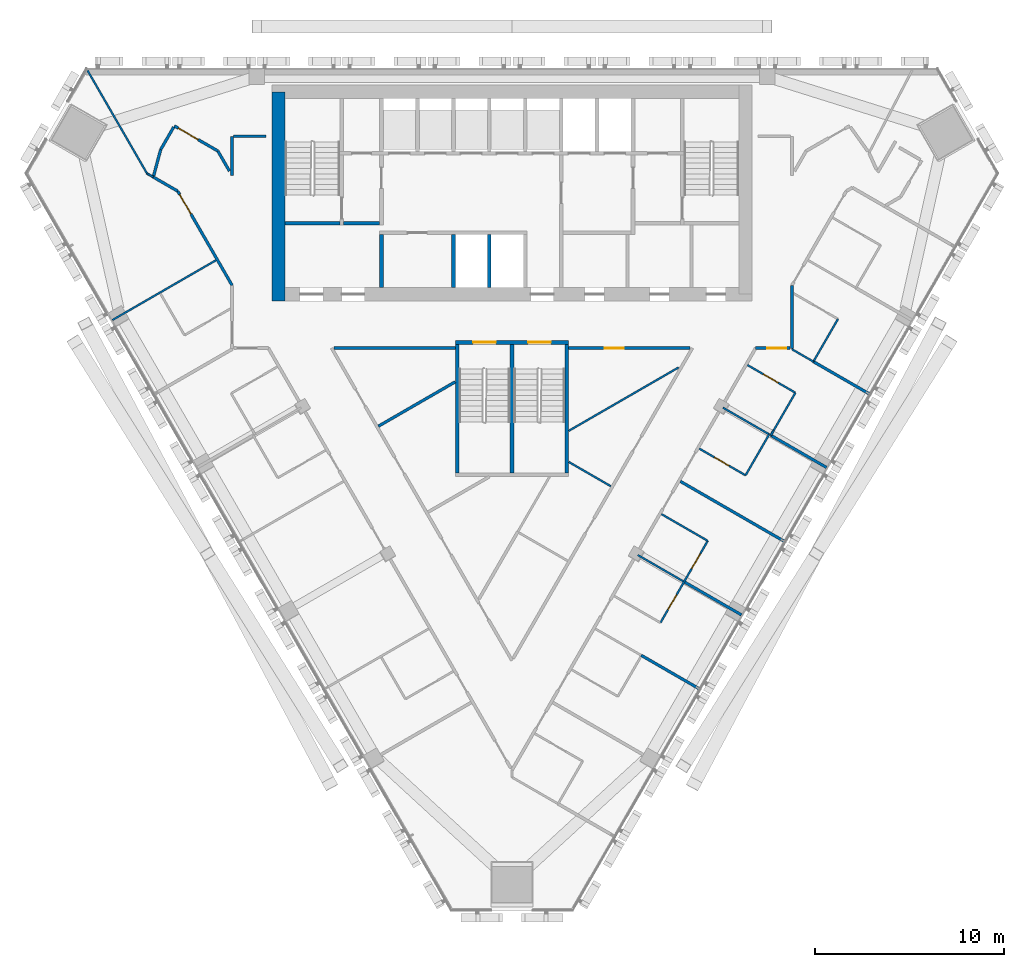
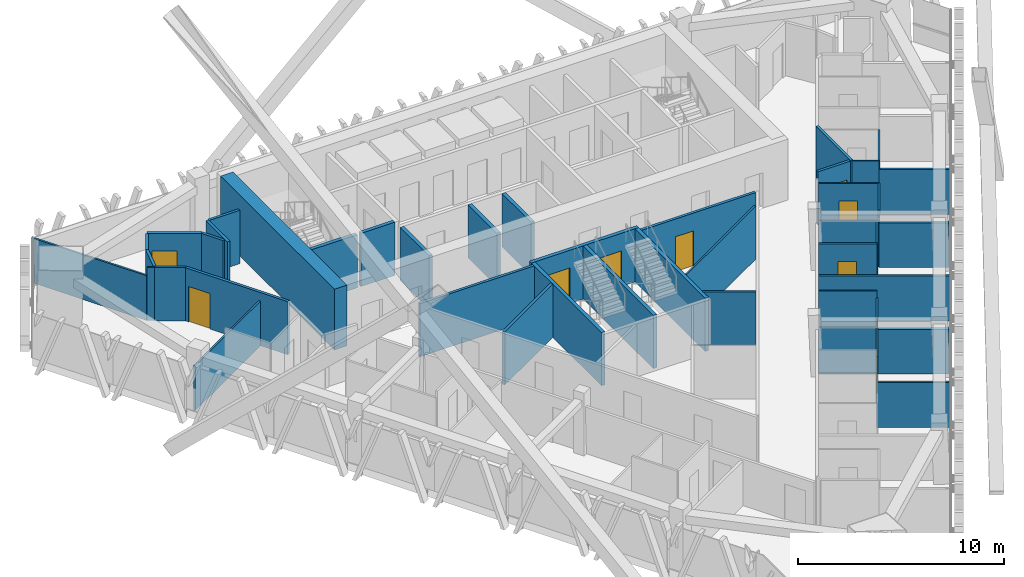
# One storey, part 11 of 17: 44 walls, 10 doors, 10 openings.
"""IFC4 building model written with IfcOpenShell, lengths in metres."""

from ifc_helpers import new_model, si_unit, direction, frame, frame_2d, origin, place, context, subcontext, project, spatial, rectangle, extrude, material, layer, layer_set, type_object, element, fill, save


model = new_model("IFC4")

# Units and contexts
model_context = context("Model", 3, precision=1e-05, world=origin(), true_north=direction((0.0, 1.0)))
body_context = subcontext(model_context, "Body", "Model", "MODEL_VIEW")
ifc_project = project(units=[si_unit("LENGTHUNIT", "METRE"), si_unit("AREAUNIT", "SQUARE_METRE"), si_unit("VOLUMEUNIT", "CUBIC_METRE"), si_unit("PLANEANGLEUNIT", "RADIAN"), si_unit("MASSUNIT", "GRAM", prefix="KILO")], contexts=[model_context])

# Site, building, storey
site_placement = place(None, origin())
site = spatial("IfcSite", under=ifc_project, at=site_placement, CompositionType="ELEMENT")
building_placement = place(site_placement, origin())
building = spatial("IfcBuilding", under=site, at=building_placement, Name="Altiplano Prism Tower", CompositionType="ELEMENT")
storey_placement = place(building_placement, frame((0.0, 0.0, 194.39990234375)))
storey = spatial("IfcBuildingStorey", under=building, at=storey_placement, Name="L50", CompositionType="ELEMENT", Elevation=194.39990234375)

# Walls
ifc_material_1 = material(Name="Concrete C60/75", Category="concrete")
ifc_layer_1 = layer(ifc_material_1, 0.699951171875)
ifc_layer_set_1 = layer_set([ifc_layer_1], Name="Concrete C60/75")
wall_type_1 = type_object("IfcWallType", Name="Core wall 700", PredefinedType="SHEAR", material=ifc_layer_set_1)
wall_1_placement = place(storey_placement, frame((72.64990234375, 103.75, 0.0), z_axis=(0.0, 0.0, 1.0), x_axis=(0.0, -1.0, 0.0)))
element("IfcWall", 1, at=wall_1_placement, inside=storey, type_object=wall_type_1, Name="Core wall W L50", PredefinedType="SHEAR", context=body_context, shape_type="SweptSolid", body=[
    extrude(rectangle(XDim=11.050048828125, YDim=0.699951171875, at=frame_2d((5.52490234375, 0.0))), origin(), (0.0, 0.0, 1.0), 3.60009765625),
])
ifc_material_2 = material(Name="Plasterboard on steel stud", Category="steel")
ifc_layer_2 = layer(ifc_material_2, 0.10009765625)
ifc_layer_set_2 = layer_set([ifc_layer_2], Name="Plasterboard on steel stud")
wall_type_2 = type_object("IfcWallType", Name="Partition 100 unit", PredefinedType="PARTITIONING", material=ifc_layer_set_2)
wall_2_placement = place(storey_placement, frame((92.90283203125, 81.4228515625, 0.0), z_axis=(0.0, 0.0, 1.0), x_axis=(0.866011447264, -0.500024172624, 0.0)))
element("IfcWall", 2, at=wall_2_placement, inside=storey, type_object=wall_type_2, Name="Partition P02 L50 068", PredefinedType="PARTITIONING", context=body_context, shape_type="SweptSolid", body=[
    extrude(rectangle(XDim=2.824951171875, YDim=0.10009765625, at=frame_2d((1.41259765625, 0.0))), origin(), (0.0, 0.0, 1.0), 3.150146484375),
])

# Wall, openings, doors
wall_3_placement = place(storey_placement, frame((95.349365234375, 80.01025390625, 0.0), z_axis=(0.0, 0.0, 1.0), x_axis=(-0.500004234368, -0.866022959057, 0.0)))
wall_3 = element("IfcWall", 3, at=wall_3_placement, inside=storey, type_object=wall_type_2, Name="Partition P02 L50 069", PredefinedType="PARTITIONING", context=body_context, shape_type="SweptSolid", body=[
    extrude(rectangle(XDim=5.0, YDim=0.10009765625, at=frame_2d((2.5, 0.0))), origin(), (0.0, 0.0, 1.0), 2.75),
])
opening_1_placement = place(wall_3_placement, frame((3.300048828125, 0.0, 0.0)))
opening_1 = element("IfcOpeningElement", 4, at=opening_1_placement, cuts=wall_3, Name="Opening D1757", PredefinedType="OPENING", context=body_context, shape_type="SweptSolid", body=[
    extrude(rectangle(XDim=0.89990234375, YDim=2.10009765625, at=frame_2d((0.449951171875, 1.050048828125))), frame((0.0, 0.060546875, 0.0), z_axis=(0.0, -1.0, 0.0), x_axis=(1.0, 0.0, 0.0)), (0.0, 0.0, 1.0), 0.12109375),
])
opening_2_placement = place(wall_3_placement, frame((0.800048828125, 0.0, 0.0)))
opening_2 = element("IfcOpeningElement", 5, at=opening_2_placement, cuts=wall_3, Name="Opening D1759", PredefinedType="OPENING", context=body_context, shape_type="SweptSolid", body=[
    extrude(rectangle(XDim=0.89990234375, YDim=2.10009765625, at=frame_2d((0.449951171875, 1.050048828125))), frame((0.0, 0.060546875, 0.0), z_axis=(0.0, -1.0, 0.0), x_axis=(1.0, 0.0, 0.0)), (0.0, 0.0, 1.0), 0.12109375),
])
ifc_material_3 = material(Name="Timber", Category="wood")
door_type_1 = type_object("IfcDoorType", Name="Ensuite door 900 x 2100", OperationType="NOTDEFINED", PredefinedType="NOTDEFINED", material=ifc_material_3)
door_1_placement = place(opening_1_placement, origin())
door_1 = element("IfcDoor", 6, at=door_1_placement, inside=storey, type_object=door_type_1, Name="Door D1757", OperationType="SINGLE_SWING_RIGHT", OverallHeight=2.10009765625, OverallWidth=0.89990234375, PredefinedType="NOTDEFINED", context=body_context, shape_type="SweptSolid", body=[
    extrude(rectangle(XDim=0.89990234375, YDim=2.10009765625, at=frame_2d((0.449951171875, 1.050048828125))), frame((0.0, 0.02490234375, 0.0), z_axis=(0.0, -1.0, 0.0), x_axis=(1.0, 0.0, 0.0)), (0.0, 0.0, 1.0), 0.050048828125),
])
fill(opening_1, door_1)
door_2_placement = place(opening_2_placement, origin())
door_2 = element("IfcDoor", 7, at=door_2_placement, inside=storey, type_object=door_type_1, Name="Door D1759", OperationType="SINGLE_SWING_RIGHT", OverallHeight=2.10009765625, OverallWidth=0.89990234375, PredefinedType="NOTDEFINED", context=body_context, shape_type="SweptSolid", body=[
    extrude(rectangle(XDim=0.89990234375, YDim=2.10009765625, at=frame_2d((0.449951171875, 1.050048828125))), frame((0.0, 0.02490234375, 0.0), z_axis=(0.0, -1.0, 0.0), x_axis=(1.0, 0.0, 0.0)), (0.0, 0.0, 1.0), 0.050048828125),
])
fill(opening_2, door_2)

# Wall
wall_4_placement = place(storey_placement, frame((98.599365234375, 85.639404296875, 0.0), z_axis=(0.0, 0.0, 1.0), x_axis=(-0.500004234368, -0.866022959057, 0.0)))
element("IfcWall", 8, at=wall_4_placement, inside=storey, type_object=wall_type_2, Name="Partition P02 L50 071", PredefinedType="PARTITIONING", context=body_context, shape_type="SweptSolid", body=[
    extrude(rectangle(XDim=2.5, YDim=0.10009765625, at=frame_2d((1.25, 0.0))), origin(), (0.0, 0.0, 1.0), 2.75),
])

# Wall, opening, door
wall_5_placement = place(storey_placement, frame((97.349365234375, 83.474365234375, 0.0), z_axis=(0.0, 0.0, 1.0), x_axis=(-0.866011447264, 0.500024172624, 0.0)))
wall_5 = element("IfcWall", 9, at=wall_5_placement, inside=storey, type_object=wall_type_2, Name="Partition P02 L50 072", PredefinedType="PARTITIONING", context=body_context, shape_type="SweptSolid", body=[
    extrude(rectangle(XDim=2.824951171875, YDim=0.10009765625, at=frame_2d((1.41259765625, 0.0))), origin(), (0.0, 0.0, 1.0), 3.150146484375),
])
opening_3_placement = place(wall_5_placement, frame((1.0, 0.0, 0.0)))
opening_3 = element("IfcOpeningElement", 10, at=opening_3_placement, cuts=wall_5, Name="Opening D1761", PredefinedType="OPENING", context=body_context, shape_type="SweptSolid", body=[
    extrude(rectangle(XDim=0.89990234375, YDim=2.10009765625, at=frame_2d((0.449951171875, 1.050048828125))), frame((0.0, 0.060546875, 0.0), z_axis=(0.0, -1.0, 0.0), x_axis=(1.0, 0.0, 0.0)), (0.0, 0.0, 1.0), 0.12109375),
])
door_3_placement = place(opening_3_placement, origin())
door_3 = element("IfcDoor", 11, at=door_3_placement, inside=storey, type_object=door_type_1, Name="Door D1761", OperationType="SINGLE_SWING_RIGHT", OverallHeight=2.10009765625, OverallWidth=0.89990234375, PredefinedType="NOTDEFINED", context=body_context, shape_type="SweptSolid", body=[
    extrude(rectangle(XDim=0.89990234375, YDim=2.10009765625, at=frame_2d((0.449951171875, 1.050048828125))), frame((0.0, 0.02490234375, 0.0), z_axis=(0.0, -1.0, 0.0), x_axis=(1.0, 0.0, 0.0)), (0.0, 0.0, 1.0), 0.050048828125),
])
fill(opening_3, door_3)

wall_6_placement = place(storey_placement, frame((97.452880859375, 89.3037109375, 0.0), z_axis=(0.0, 0.0, 1.0), x_axis=(0.865989585315, -0.500062034277, 0.0)))
wall_6 = element("IfcWall", 12, at=wall_6_placement, inside=storey, type_object=wall_type_2, Name="Partition P02 L50 075", PredefinedType="PARTITIONING", context=body_context, shape_type="SweptSolid", body=[
    extrude(rectangle(XDim=2.925048828125, YDim=0.10009765625, at=frame_2d((1.46240234375, 0.0))), origin(), (0.0, 0.0, 1.0), 3.150146484375),
])
opening_4_placement = place(wall_6_placement, frame((0.97509765625, 0.0, 0.0)))
opening_4 = element("IfcOpeningElement", 13, at=opening_4_placement, cuts=wall_6, Name="Opening D1763", PredefinedType="OPENING", context=body_context, shape_type="SweptSolid", body=[
    extrude(rectangle(XDim=0.89990234375, YDim=2.10009765625, at=frame_2d((0.449951171875, 1.050048828125))), frame((0.0, 0.060546875, 0.0), z_axis=(0.0, -1.0, 0.0), x_axis=(1.0, 0.0, 0.0)), (0.0, 0.0, 1.0), 0.12109375),
])
door_4_placement = place(opening_4_placement, origin())
door_4 = element("IfcDoor", 14, at=door_4_placement, inside=storey, type_object=door_type_1, Name="Door D1763", OperationType="SINGLE_SWING_RIGHT", OverallHeight=2.10009765625, OverallWidth=0.89990234375, PredefinedType="NOTDEFINED", context=body_context, shape_type="SweptSolid", body=[
    extrude(rectangle(XDim=0.89990234375, YDim=2.10009765625, at=frame_2d((0.449951171875, 1.050048828125))), frame((0.0, 0.02490234375, 0.0), z_axis=(0.0, -1.0, 0.0), x_axis=(1.0, 0.0, 0.0)), (0.0, 0.0, 1.0), 0.050048828125),
])
fill(opening_4, door_4)

# Walls
wall_7_placement = place(storey_placement, frame((99.98583984375, 87.841064453125, 0.0), z_axis=(0.0, 0.0, 1.0), x_axis=(-0.499998129301, -0.86602648383, 0.0)))
element("IfcWall", 15, at=wall_7_placement, inside=storey, type_object=wall_type_2, Name="Partition P02 L50 076", PredefinedType="PARTITIONING", context=body_context, shape_type="SweptSolid", body=[
    extrude(rectangle(XDim=2.2998046875, YDim=0.10009765625, at=frame_2d((1.14990234375, 0.0))), origin(), (0.0, 0.0, 1.0), 3.150146484375),
])
wall_8_placement = place(storey_placement, frame((98.8359375, 85.849365234375, 0.0), z_axis=(0.0, 0.0, 1.0), x_axis=(-0.499816412211, -0.866131372301, 0.0)))
element("IfcWall", 16, at=wall_8_placement, inside=storey, type_object=wall_type_2, Name="Partition P02 L50 077", PredefinedType="PARTITIONING", context=body_context, shape_type="SweptSolid", body=[
    extrude(rectangle(XDim=0.2998046875, YDim=0.10009765625, at=frame_2d((0.14990234375, 0.0))), origin(), (0.0, 0.0, 1.0), 2.75),
])
wall_9_placement = place(storey_placement, frame((102.23583984375, 91.73828125, 0.0), z_axis=(0.0, 0.0, 1.0), x_axis=(-0.499936506574, -0.866062058628, 0.0)))
element("IfcWall", 17, at=wall_9_placement, inside=storey, type_object=wall_type_2, Name="Partition P02 L50 081", PredefinedType="PARTITIONING", context=body_context, shape_type="SweptSolid", body=[
    extrude(rectangle(XDim=2.599853515625, YDim=0.10009765625, at=frame_2d((1.2998046875, 0.0))), origin(), (0.0, 0.0, 1.0), 3.150146484375),
])
ifc_layer_3 = layer(ifc_material_2, 0.10009765625)
ifc_layer_set_3 = layer_set([ifc_layer_3], Name="Plasterboard on steel stud")
wall_type_3 = type_object("IfcWallType", Name="Partition 100 wet", PredefinedType="PARTITIONING", material=ifc_layer_set_3)
wall_10_placement = place(storey_placement, frame((90.23046875, 82.894287109375, 0.0), z_axis=(0.0, 0.0, 1.0), x_axis=(-0.866052988967, 0.499952218018, 0.0)))
element("IfcWall", 18, at=wall_10_placement, inside=storey, type_object=wall_type_3, Name="Partition P03 L50 032", PredefinedType="PARTITIONING", context=body_context, shape_type="SweptSolid", body=[
    extrude(rectangle(XDim=2.575439453125, YDim=0.10009765625, at=frame_2d((1.28759765625, 0.0))), origin(), (0.0, 0.0, 1.0), 3.150146484375),
])
wall_11_placement = place(storey_placement, frame((93.808837890625, 89.178955078125, 0.0), z_axis=(0.0, 0.0, 1.0), x_axis=(-0.866023748172, -0.500002867593, 0.0)))
element("IfcWall", 19, at=wall_11_placement, inside=storey, type_object=wall_type_3, Name="Partition P03 L50 035", PredefinedType="PARTITIONING", context=body_context, shape_type="SweptSolid", body=[
    extrude(rectangle(XDim=6.70751953125, YDim=0.10009765625, at=frame_2d((3.353759765625, 0.0))), origin(), (0.0, 0.0, 1.0), 3.150146484375),
])
wall_12_placement = place(storey_placement, frame((63.86962890625, 91.683837890625, 0.0), z_axis=(0.0, 0.0, 1.0), x_axis=(0.866032601554, 0.49998753289, 0.0)))
element("IfcWall", 20, at=wall_12_placement, inside=storey, type_object=wall_type_3, Name="Partition P03 L50 037", PredefinedType="PARTITIONING", context=body_context, shape_type="SweptSolid", body=[
    extrude(rectangle(XDim=6.324951171875, YDim=0.10009765625, at=frame_2d((3.16259765625, 0.0))), origin(), (0.0, 0.0, 1.0), 2.650146484375),
])
wall_13_placement = place(storey_placement, frame((66.03369140625, 99.2451171875, 0.0), z_axis=(0.0, 0.0, 1.0), x_axis=(-0.86591346013, 0.500193841991, 0.0)))
element("IfcWall", 21, at=wall_13_placement, inside=storey, type_object=wall_type_3, Name="Partition P03 L50 038", PredefinedType="PARTITIONING", context=body_context, shape_type="SweptSolid", body=[
    extrude(rectangle(XDim=0.388427734375, YDim=0.10009765625, at=frame_2d((0.1943359375, 0.0))), origin(), (0.0, 0.0, 1.0), 3.150146484375),
])
wall_14_placement = place(storey_placement, frame((65.697265625, 99.439453125, 0.0), z_axis=(0.0, 0.0, 1.0), x_axis=(-0.499999531847, 0.866025674072, 0.0)))
element("IfcWall", 22, at=wall_14_placement, inside=storey, type_object=wall_type_3, Name="Partition P03 L50 039", PredefinedType="PARTITIONING", context=body_context, shape_type="SweptSolid", body=[
    extrude(rectangle(XDim=6.30517578125, YDim=0.10009765625, at=frame_2d((3.152587890625, 0.0))), origin(), (0.0, 0.0, 1.0), 2.650146484375),
])
wall_15_placement = place(storey_placement, frame((94.055908203125, 77.870361328125, 0.0), z_axis=(0.0, 0.0, 1.0), x_axis=(-0.866020020486, 0.50000932403, 0.0)))
element("IfcWall", 23, at=wall_15_placement, inside=storey, type_object=wall_type_3, Name="Partition P03 L50 067", PredefinedType="PARTITIONING", context=body_context, shape_type="SweptSolid", body=[
    extrude(rectangle(XDim=2.77490234375, YDim=0.10009765625, at=frame_2d((1.387451171875, 0.0))), origin(), (0.0, 0.0, 1.0), 2.75),
])
wall_16_placement = place(storey_placement, frame((98.61669921875, 85.62939453125, 0.0), z_axis=(0.0, 0.0, 1.0), x_axis=(-0.866011243319, 0.500024525844, 0.0)))
element("IfcWall", 24, at=wall_16_placement, inside=storey, type_object=wall_type_3, Name="Partition P03 L50 074", PredefinedType="PARTITIONING", context=body_context, shape_type="SweptSolid", body=[
    extrude(rectangle(XDim=2.844970703125, YDim=0.10009765625, at=frame_2d((1.42236328125, 0.0))), origin(), (0.0, 0.0, 1.0), 2.75),
])
wall_17_placement = place(storey_placement, frame((100.93603515625, 89.486572265625, 0.0), z_axis=(0.0, 0.0, 1.0), x_axis=(-0.866058511029, 0.499942652186, 0.0)))
element("IfcWall", 25, at=wall_17_placement, inside=storey, type_object=wall_type_3, Name="Partition P03 L50 079", PredefinedType="PARTITIONING", context=body_context, shape_type="SweptSolid", body=[
    extrude(rectangle(XDim=1.311767578125, YDim=0.10009765625, at=frame_2d((0.65576171875, 0.0))), origin(), (0.0, 0.0, 1.0), 3.150146484375),
])

# Wall, opening, door
ifc_layer_4 = layer(ifc_material_2, 0.14990234375)
ifc_layer_set_4 = layer_set([ifc_layer_4], Name="Plasterboard on steel stud")
wall_type_4 = type_object("IfcWallType", Name="Partition 150 corridor", PredefinedType="PARTITIONING", material=ifc_layer_set_4)
wall_18_placement = place(storey_placement, frame((88.0, 90.199951171875, 0.0), z_axis=(0.0, 0.0, 1.0), x_axis=(1.0, 0.0, 0.0)))
wall_18 = element("IfcWall", 26, at=wall_18_placement, inside=storey, type_object=wall_type_4, Name="Partition P06 L50 002", PredefinedType="PARTITIONING", context=body_context, shape_type="SweptSolid", body=[
    extrude(rectangle(XDim=6.4052734375, YDim=0.14990234375, at=frame_2d((3.20263671875, 0.0))), origin(), (0.0, 0.0, 1.0), 3.150146484375),
])
opening_5_placement = place(wall_18_placement, frame((1.903076171875, 0.0, 0.0)))
opening_5 = element("IfcOpeningElement", 27, at=opening_5_placement, cuts=wall_18, Name="Opening D1740", PredefinedType="OPENING", context=body_context, shape_type="SweptSolid", body=[
    extrude(rectangle(XDim=1.0, YDim=2.10009765625, at=frame_2d((0.5, 1.050048828125))), frame((0.0, 0.08544921875, 0.0), z_axis=(0.0, -1.0, 0.0), x_axis=(1.0, 0.0, 0.0)), (0.0, 0.0, 1.0), 0.1708984375),
])
door_type_2 = type_object("IfcDoorType", Name="Store door 1000 x 2100", OperationType="NOTDEFINED", PredefinedType="NOTDEFINED", material=ifc_material_3)
door_5_placement = place(opening_5_placement, origin())
door_5 = element("IfcDoor", 28, at=door_5_placement, inside=storey, type_object=door_type_2, Name="Door D1740", OperationType="SINGLE_SWING_LEFT", OverallHeight=2.10009765625, OverallWidth=1.0, PredefinedType="NOTDEFINED", context=body_context, shape_type="SweptSolid", body=[
    extrude(rectangle(XDim=1.0, YDim=2.10009765625, at=frame_2d((0.5, 1.050048828125))), frame((0.0, 0.02490234375, 0.0), z_axis=(0.0, -1.0, 0.0), x_axis=(1.0, 0.0, 0.0)), (0.0, 0.0, 1.0), 0.050048828125),
])
fill(opening_5, door_5)

# Wall
wall_19_placement = place(storey_placement, frame((66.015869140625, 99.25537109375, 0.0), z_axis=(0.0, 0.0, 1.0), x_axis=(0.866026809777, -0.499997564742, 0.0)))
element("IfcWall", 29, at=wall_19_placement, inside=storey, type_object=wall_type_4, Name="Partition P06 L50 003", PredefinedType="PARTITIONING", context=body_context, shape_type="SweptSolid", body=[
    extrude(rectangle(XDim=1.5107421875, YDim=0.14990234375, at=frame_2d((0.75537109375, 0.0))), origin(), (0.0, 0.0, 1.0), 3.150146484375),
])

# Wall, opening, door
wall_20_placement = place(storey_placement, frame((67.32421875, 98.5, 0.0), z_axis=(0.0, 0.0, 1.0), x_axis=(0.499996810272, -0.866027245367, 0.0)))
wall_20 = element("IfcWall", 30, at=wall_20_placement, inside=storey, type_object=wall_type_4, Name="Partition P06 L50 004", PredefinedType="PARTITIONING", context=body_context, shape_type="SweptSolid", body=[
    extrude(rectangle(XDim=5.75146484375, YDim=0.14990234375, at=frame_2d((2.875732421875, 0.0))), origin(), (0.0, 0.0, 1.0), 3.150146484375),
])
opening_6_placement = place(wall_20_placement, frame((0.199951171875, 0.0, 0.0)))
opening_6 = element("IfcOpeningElement", 31, at=opening_6_placement, cuts=wall_20, Name="Opening D1741", PredefinedType="OPENING", context=body_context, shape_type="SweptSolid", body=[
    extrude(rectangle(XDim=1.199951171875, YDim=2.10009765625, at=frame_2d((0.60009765625, 1.050048828125))), frame((0.0, 0.08544921875, 0.0), z_axis=(0.0, -1.0, 0.0), x_axis=(1.0, 0.0, 0.0)), (0.0, 0.0, 1.0), 0.1708984375),
])
door_type_3 = type_object("IfcDoorType", Name="Shared room door 1200 x 2100", OperationType="NOTDEFINED", PredefinedType="NOTDEFINED", material=ifc_material_3)
door_6_placement = place(opening_6_placement, origin())
door_6 = element("IfcDoor", 32, at=door_6_placement, inside=storey, type_object=door_type_3, Name="Door D1741", OperationType="SINGLE_SWING_LEFT", OverallHeight=2.10009765625, OverallWidth=1.199951171875, PredefinedType="NOTDEFINED", context=body_context, shape_type="SweptSolid", body=[
    extrude(rectangle(XDim=1.199951171875, YDim=2.10009765625, at=frame_2d((0.60009765625, 1.050048828125))), frame((0.0, 0.02490234375, 0.0), z_axis=(0.0, -1.0, 0.0), x_axis=(1.0, 0.0, 0.0)), (0.0, 0.0, 1.0), 0.050048828125),
])
fill(opening_6, door_6)

wall_21_placement = place(storey_placement, frame((97.8837890625, 90.199951171875, 0.0), z_axis=(0.0, 0.0, 1.0), x_axis=(1.0, 0.0, 0.0)))
wall_21 = element("IfcWall", 33, at=wall_21_placement, inside=storey, type_object=wall_type_4, Name="Partition P06 L50 009", PredefinedType="PARTITIONING", context=body_context, shape_type="SweptSolid", body=[
    extrude(rectangle(XDim=1.816650390625, YDim=0.14990234375, at=frame_2d((0.908203125, 0.0))), origin(), (0.0, 0.0, 1.0), 3.150146484375),
])
opening_7_placement = place(wall_21_placement, frame((0.616943359375, 0.0, 0.0)))
opening_7 = element("IfcOpeningElement", 34, at=opening_7_placement, cuts=wall_21, Name="Opening D1762", PredefinedType="OPENING", context=body_context, shape_type="SweptSolid", body=[
    extrude(rectangle(XDim=1.0, YDim=2.10009765625, at=frame_2d((0.5, 1.050048828125))), frame((0.0, 0.08544921875, 0.0), z_axis=(0.0, -1.0, 0.0), x_axis=(1.0, 0.0, 0.0)), (0.0, 0.0, 1.0), 0.1708984375),
])
door_type_4 = type_object("IfcDoorType", Name="Bedroom entrance door 1000 x 2100", OperationType="NOTDEFINED", PredefinedType="NOTDEFINED", material=ifc_material_3)
door_7_placement = place(opening_7_placement, origin())
door_7 = element("IfcDoor", 35, at=door_7_placement, inside=storey, type_object=door_type_4, Name="Door D1762", OperationType="SINGLE_SWING_RIGHT", OverallHeight=2.10009765625, OverallWidth=1.0, PredefinedType="NOTDEFINED", context=body_context, shape_type="SweptSolid", body=[
    extrude(rectangle(XDim=1.0, YDim=2.10009765625, at=frame_2d((0.5, 1.050048828125))), frame((0.0, 0.02490234375, 0.0), z_axis=(0.0, -1.0, 0.0), x_axis=(1.0, 0.0, 0.0)), (0.0, 0.0, 1.0), 0.050048828125),
])
fill(opening_7, door_7)

# Walls
wall_22_placement = place(storey_placement, frame((99.800048828125, 90.179931640625, 0.0), z_axis=(0.0, 0.0, 1.0), x_axis=(0.0, 1.0, 0.0)))
element("IfcWall", 36, at=wall_22_placement, inside=storey, type_object=wall_type_4, Name="Partition P06 L50 010", PredefinedType="PARTITIONING", context=body_context, shape_type="SweptSolid", body=[
    extrude(rectangle(XDim=3.339111328125, YDim=0.14990234375, at=frame_2d((1.66943359375, 0.0))), origin(), (0.0, 0.0, 1.0), 3.150146484375),
])
wall_23_placement = place(storey_placement, frame((72.0, 101.39990234375, 0.0), z_axis=(0.0, 0.0, 1.0), x_axis=(-1.0, 0.0, 0.0)))
element("IfcWall", 37, at=wall_23_placement, inside=storey, type_object=wall_type_4, Name="Partition P06 L50 024", PredefinedType="PARTITIONING", context=body_context, shape_type="SweptSolid", body=[
    extrude(rectangle(XDim=1.72509765625, YDim=0.14990234375, at=frame_2d((0.862548828125, 0.0))), origin(), (0.0, 0.0, 1.0), 3.150146484375),
])
wall_24_placement = place(storey_placement, frame((70.199951171875, 101.39990234375, 0.0), z_axis=(0.0, 0.0, 1.0), x_axis=(0.0, -1.0, 0.0)))
element("IfcWall", 38, at=wall_24_placement, inside=storey, type_object=wall_type_4, Name="Partition P06 L50 025", PredefinedType="PARTITIONING", context=body_context, shape_type="SweptSolid", body=[
    extrude(rectangle(XDim=2.080810546875, YDim=0.14990234375, at=frame_2d((1.04052734375, 0.0))), origin(), (0.0, 0.0, 1.0), 3.150146484375),
])
wall_25_placement = place(storey_placement, frame((70.06005859375, 99.5615234375, 0.0), z_axis=(0.0, 0.0, 1.0), x_axis=(-0.499952348839, 0.866052913447, 0.0)))
element("IfcWall", 39, at=wall_25_placement, inside=storey, type_object=wall_type_4, Name="Partition P06 L50 026", PredefinedType="PARTITIONING", context=body_context, shape_type="SweptSolid", body=[
    extrude(rectangle(XDim=1.2255859375, YDim=0.14990234375, at=frame_2d((0.61279296875, 0.0))), origin(), (0.0, 0.0, 1.0), 3.150146484375),
])

# Wall, opening, door
wall_26_placement = place(storey_placement, frame((69.447265625, 100.623046875, 0.0), z_axis=(0.0, 0.0, 1.0), x_axis=(-0.866034036823, 0.49998504684, 0.0)))
wall_26 = element("IfcWall", 40, at=wall_26_placement, inside=storey, type_object=wall_type_4, Name="Partition P06 L50 027", PredefinedType="PARTITIONING", context=body_context, shape_type="SweptSolid", body=[
    extrude(rectangle(XDim=2.65576171875, YDim=0.14990234375, at=frame_2d((1.327880859375, 0.0))), origin(), (0.0, 0.0, 1.0), 3.150146484375),
])
opening_8_placement = place(wall_26_placement, frame((1.2060546875, 0.0, 0.0)))
opening_8 = element("IfcOpeningElement", 41, at=opening_8_placement, cuts=wall_26, Name="Opening D1770", PredefinedType="OPENING", context=body_context, shape_type="SweptSolid", body=[
    extrude(rectangle(XDim=1.199951171875, YDim=2.10009765625, at=frame_2d((0.60009765625, 1.050048828125))), frame((0.0, 0.08544921875, 0.0), z_axis=(0.0, -1.0, 0.0), x_axis=(1.0, 0.0, 0.0)), (0.0, 0.0, 1.0), 0.1708984375),
])
door_8_placement = place(opening_8_placement, origin())
door_8 = element("IfcDoor", 42, at=door_8_placement, inside=storey, type_object=door_type_3, Name="Door D1770", OperationType="SINGLE_SWING_RIGHT", OverallHeight=2.10009765625, OverallWidth=1.199951171875, PredefinedType="NOTDEFINED", context=body_context, shape_type="SweptSolid", body=[
    extrude(rectangle(XDim=1.199951171875, YDim=2.10009765625, at=frame_2d((0.60009765625, 1.050048828125))), frame((0.0, 0.02490234375, 0.0), z_axis=(0.0, -1.0, 0.0), x_axis=(1.0, 0.0, 0.0)), (0.0, 0.0, 1.0), 0.050048828125),
])
fill(opening_8, door_8)

# Walls
wall_27_placement = place(storey_placement, frame((67.10986328125, 101.885986328125, 0.0), z_axis=(0.0, 0.0, 1.0), x_axis=(-0.499958106649, -0.866049589571, 0.0)))
element("IfcWall", 43, at=wall_27_placement, inside=storey, type_object=wall_type_4, Name="Partition P06 L50 028", PredefinedType="PARTITIONING", context=body_context, shape_type="SweptSolid", body=[
    extrude(rectangle(XDim=1.375, YDim=0.14990234375, at=frame_2d((0.6875, 0.0))), origin(), (0.0, 0.0, 1.0), 3.150146484375),
])
wall_28_placement = place(storey_placement, frame((66.42236328125, 100.695068359375, 0.0), z_axis=(0.0, 0.0, 1.0), x_axis=(-0.258847548609, -0.965918188347, 0.0)))
element("IfcWall", 44, at=wall_28_placement, inside=storey, type_object=wall_type_4, Name="Partition P06 L50 029", PredefinedType="PARTITIONING", context=body_context, shape_type="SweptSolid", body=[
    extrude(rectangle(XDim=1.42333984375, YDim=0.14990234375, at=frame_2d((0.711669921875, 0.0))), origin(), (0.0, 0.0, 1.0), 3.150146484375),
])
wall_29_placement = place(storey_placement, frame((75.5947265625, 90.199951171875, 0.0), z_axis=(0.0, 0.0, 1.0), x_axis=(1.0, 0.0, 0.0)))
element("IfcWall", 45, at=wall_29_placement, inside=storey, type_object=wall_type_4, Name="Partition P06 L50 031", PredefinedType="PARTITIONING", context=body_context, shape_type="SweptSolid", body=[
    extrude(rectangle(XDim=6.4052734375, YDim=0.14990234375, at=frame_2d((3.20263671875, 0.0))), origin(), (0.0, 0.0, 1.0), 3.150146484375),
])
ifc_layer_5 = layer(ifc_material_2, 0.14990234375)
ifc_layer_set_5 = layer_set([ifc_layer_5], Name="Plasterboard on steel stud")
wall_type_5 = type_object("IfcWallType", Name="Partition 150 party", PredefinedType="PARTITIONING", material=ifc_layer_set_5)
wall_30_placement = place(storey_placement, frame((94.89794921875, 72.18798828125, 0.0), z_axis=(0.0, 0.0, 1.0), x_axis=(-0.866006432019, 0.500032858622, 0.0)))
element("IfcWall", 46, at=wall_30_placement, inside=storey, type_object=wall_type_5, Name="Partition P01 L50 063", PredefinedType="PARTITIONING", context=body_context, shape_type="SweptSolid", body=[
    extrude(rectangle(XDim=3.540283203125, YDim=0.14990234375, at=frame_2d((1.77001953125, 0.0))), origin(), (0.0, 0.0, 1.0), 2.650146484375),
])
wall_31_placement = place(storey_placement, frame((97.13037109375, 76.09521484375, 0.0), z_axis=(0.0, 0.0, 1.0), x_axis=(-0.866013532718, 0.500020560727, 0.0)))
element("IfcWall", 47, at=wall_31_placement, inside=storey, type_object=wall_type_5, Name="Partition P01 L50 066", PredefinedType="PARTITIONING", context=body_context, shape_type="SweptSolid", body=[
    extrude(rectangle(XDim=3.449951171875, YDim=0.14990234375, at=frame_2d((1.72509765625, 0.0))), origin(), (0.0, 0.0, 1.0), 2.650146484375),
])
wall_32_placement = place(storey_placement, frame((99.39794921875, 79.982177734375, 0.0), z_axis=(0.0, 0.0, 1.0), x_axis=(-0.866025401434, 0.500000004071, 0.0)))
element("IfcWall", 48, at=wall_32_placement, inside=storey, type_object=wall_type_5, Name="Partition P01 L50 070", PredefinedType="PARTITIONING", context=body_context, shape_type="SweptSolid", body=[
    extrude(rectangle(XDim=6.34521484375, YDim=0.14990234375, at=frame_2d((3.172607421875, 0.0))), origin(), (0.0, 0.0, 1.0), 2.650146484375),
])
wall_33_placement = place(storey_placement, frame((101.63037109375, 83.889404296875, 0.0), z_axis=(0.0, 0.0, 1.0), x_axis=(-0.865989465428, 0.500062241894, 0.0)))
element("IfcWall", 49, at=wall_33_placement, inside=storey, type_object=wall_type_5, Name="Partition P01 L50 073", PredefinedType="PARTITIONING", context=body_context, shape_type="SweptSolid", body=[
    extrude(rectangle(XDim=3.39990234375, YDim=0.14990234375, at=frame_2d((1.699951171875, 0.0))), origin(), (0.0, 0.0, 1.0), 2.650146484375),
])
wall_34_placement = place(storey_placement, frame((103.89794921875, 87.776611328125, 0.0), z_axis=(0.0, 0.0, 1.0), x_axis=(-0.866038183914, 0.499977863513, 0.0)))
element("IfcWall", 50, at=wall_34_placement, inside=storey, type_object=wall_type_5, Name="Partition P01 L50 078", PredefinedType="PARTITIONING", context=body_context, shape_type="SweptSolid", body=[
    extrude(rectangle(XDim=3.420166015625, YDim=0.14990234375, at=frame_2d((1.7099609375, 0.0))), origin(), (0.0, 0.0, 1.0), 2.650146484375),
])
wall_35_placement = place(storey_placement, frame((82.0, 88.41748046875, 0.0), z_axis=(0.0, 0.0, 1.0), x_axis=(-0.866019260715, -0.500010639957, 0.0)))
element("IfcWall", 51, at=wall_35_placement, inside=storey, type_object=wall_type_5, Name="Partition P01 L50 089", PredefinedType="PARTITIONING", context=body_context, shape_type="SweptSolid", body=[
    extrude(rectangle(XDim=4.693359375, YDim=0.14990234375, at=frame_2d((2.3466796875, 0.0))), origin(), (0.0, 0.0, 1.0), 3.150146484375),
])
ifc_layer_6 = layer(ifc_material_1, 0.199951171875)
ifc_layer_set_6 = layer_set([ifc_layer_6], Name="Concrete C60/75")
wall_type_6 = type_object("IfcWallType", Name="Shaft wall 200", PredefinedType="SOLIDWALL", material=ifc_layer_set_6)
for number, where, z_axis, x_axis, name in (
    (52, (81.89990234375, 93.39990234375, 0.0), (0.0, 0.0, 1.0), (0.0, 1.0, 0.0), "Shaft wall L50"),
    (53, (83.800048828125, 93.39990234375, 0.0), (0.0, 0.0, 1.0), (0.0, 1.0, 0.0), "Shaft wall L50"),
):
    element("IfcWall", number, at=place(storey_placement, frame(where, z_axis=z_axis, x_axis=x_axis)), inside=storey, type_object=wall_type_6, Name=name, PredefinedType="SOLIDWALL", context=body_context, shape_type="SweptSolid", body=[
        extrude(rectangle(XDim=2.800048828125, YDim=0.199951171875, at=frame_2d((1.39990234375, 0.0))), origin(), (0.0, 0.0, 1.0), 3.150146484375),
    ])
ifc_layer_7 = layer(ifc_material_1, 0.199951171875)
ifc_layer_set_7 = layer_set([ifc_layer_7], Name="Concrete C60/75")
wall_type_7 = type_object("IfcWallType", Name="Stair wall 200", PredefinedType="SOLIDWALL", material=ifc_layer_set_7)
wall_36_placement = place(storey_placement, frame((73.0, 96.800048828125, 0.0), z_axis=(0.0, 0.0, 1.0), x_axis=(1.0, 0.0, 0.0)))
element("IfcWall", 54, at=wall_36_placement, inside=storey, type_object=wall_type_7, Name="Stair wall L50", PredefinedType="SOLIDWALL", context=body_context, shape_type="SweptSolid", body=[
    extrude(rectangle(XDim=2.89990234375, YDim=0.199951171875, at=frame_2d((1.449951171875, 0.0))), origin(), (0.0, 0.0, 1.0), 3.150146484375),
])

# Wall, openings, doors
wall_37_placement = place(storey_placement, frame((82.0, 90.5, 0.0), z_axis=(0.0, 0.0, 1.0), x_axis=(1.0, 0.0, 0.0)))
wall_37 = element("IfcWall", 55, at=wall_37_placement, inside=storey, type_object=wall_type_7, Name="Stair 3 wall north L50", PredefinedType="SOLIDWALL", context=body_context, shape_type="SweptSolid", body=[
    extrude(rectangle(XDim=6.0, YDim=0.199951171875, at=frame_2d((3.0, 0.0))), origin(), (0.0, 0.0, 1.0), 3.150146484375),
])
opening_9_placement = place(wall_37_placement, frame((0.949951171875, 0.0, 0.0)))
opening_9 = element("IfcOpeningElement", 56, at=opening_9_placement, cuts=wall_37, Name="Opening D4022", PredefinedType="OPENING", context=body_context, shape_type="SweptSolid", body=[
    extrude(rectangle(XDim=1.199951171875, YDim=2.10009765625, at=frame_2d((0.60009765625, 1.050048828125))), frame((0.0, 0.1103515625, 0.0), z_axis=(0.0, -1.0, 0.0), x_axis=(1.0, 0.0, 0.0)), (0.0, 0.0, 1.0), 0.220947265625),
])
opening_10_placement = place(wall_37_placement, frame((3.85009765625, 0.0, 0.0)))
opening_10 = element("IfcOpeningElement", 57, at=opening_10_placement, cuts=wall_37, Name="Opening D4023", PredefinedType="OPENING", context=body_context, shape_type="SweptSolid", body=[
    extrude(rectangle(XDim=1.199951171875, YDim=2.10009765625, at=frame_2d((0.60009765625, 1.050048828125))), frame((0.0, 0.1103515625, 0.0), z_axis=(0.0, -1.0, 0.0), x_axis=(1.0, 0.0, 0.0)), (0.0, 0.0, 1.0), 0.220947265625),
])
ifc_material_4 = material(Name="Fire-rated steel door", Category="steel")
door_type_5 = type_object("IfcDoorType", Name="Stair fire door 1200 x 2100", OperationType="NOTDEFINED", PredefinedType="NOTDEFINED", material=ifc_material_4)
door_9_placement = place(opening_9_placement, origin())
door_9 = element("IfcDoor", 58, at=door_9_placement, inside=storey, type_object=door_type_5, Name="Stair fire door D4022", OperationType="SINGLE_SWING_LEFT", OverallHeight=2.10009765625, OverallWidth=1.199951171875, PredefinedType="NOTDEFINED", context=body_context, shape_type="SweptSolid", body=[
    extrude(rectangle(XDim=1.199951171875, YDim=2.10009765625, at=frame_2d((0.60009765625, 1.050048828125))), frame((0.0, 0.02490234375, 0.0), z_axis=(0.0, -1.0, 0.0), x_axis=(1.0, 0.0, 0.0)), (0.0, 0.0, 1.0), 0.050048828125),
])
fill(opening_9, door_9)
door_10_placement = place(opening_10_placement, origin())
door_10 = element("IfcDoor", 59, at=door_10_placement, inside=storey, type_object=door_type_5, Name="Stair fire door D4023", OperationType="SINGLE_SWING_LEFT", OverallHeight=2.10009765625, OverallWidth=1.199951171875, PredefinedType="NOTDEFINED", context=body_context, shape_type="SweptSolid", body=[
    extrude(rectangle(XDim=1.199951171875, YDim=2.10009765625, at=frame_2d((0.60009765625, 1.050048828125))), frame((0.0, 0.02490234375, 0.0), z_axis=(0.0, -1.0, 0.0), x_axis=(1.0, 0.0, 0.0)), (0.0, 0.0, 1.0), 0.050048828125),
])
fill(opening_10, door_10)

# Walls
for number, where, z_axis, x_axis, name in (
    (60, (82.10009765625, 83.60009765625, 0.0), (0.0, 0.0, 1.0), (0.0, 1.0, 0.0), "Stair 3 wall west L50"),
    (61, (87.89990234375, 83.60009765625, 0.0), (0.0, 0.0, 1.0), (0.0, 1.0, 0.0), "Stair 3 wall east L50"),
    (62, (85.0, 83.60009765625, 0.0), (0.0, 0.0, 1.0), (0.0, 1.0, 0.0), "Stair 3 wall divider L50"),
):
    element("IfcWall", number, at=place(storey_placement, frame(where, z_axis=z_axis, x_axis=x_axis)), inside=storey, type_object=wall_type_7, Name=name, PredefinedType="SOLIDWALL", context=body_context, shape_type="SweptSolid", body=[
        extrude(rectangle(XDim=6.7998046875, YDim=0.199951171875, at=frame_2d((3.39990234375, 0.0))), origin(), (0.0, 0.0, 1.0), 3.150146484375),
    ])
ifc_layer_8 = layer(ifc_material_1, 0.199951171875)
ifc_layer_set_8 = layer_set([ifc_layer_8], Name="Concrete C60/75")
wall_type_8 = type_object("IfcWallType", Name="Vestibule wall 200", PredefinedType="PARTITIONING", material=ifc_layer_set_8)
wall_38_placement = place(storey_placement, frame((78.10009765625, 93.39990234375, 0.0), z_axis=(0.0, 0.0, 1.0), x_axis=(0.0, 1.0, 0.0)))
element("IfcWall", 63, at=wall_38_placement, inside=storey, type_object=wall_type_8, Name="Vestibule wall L50", PredefinedType="PARTITIONING", context=body_context, shape_type="SweptSolid", body=[
    extrude(rectangle(XDim=2.800048828125, YDim=0.199951171875, at=frame_2d((1.39990234375, 0.0))), origin(), (0.0, 0.0, 1.0), 3.150146484375),
])
wall_39_placement = place(storey_placement, frame((76.10009765625, 96.800048828125, 0.0), z_axis=(0.0, 0.0, 1.0), x_axis=(1.0, 0.0, 0.0)))
element("IfcWall", 64, at=wall_39_placement, inside=storey, type_object=wall_type_8, Name="Vestibule wall L50", PredefinedType="PARTITIONING", context=body_context, shape_type="SweptSolid", body=[
    extrude(rectangle(XDim=1.89990234375, YDim=0.199951171875, at=frame_2d((0.949951171875, 0.0))), origin(), (0.0, 0.0, 1.0), 3.150146484375),
])

save(model, "model.ifc")
